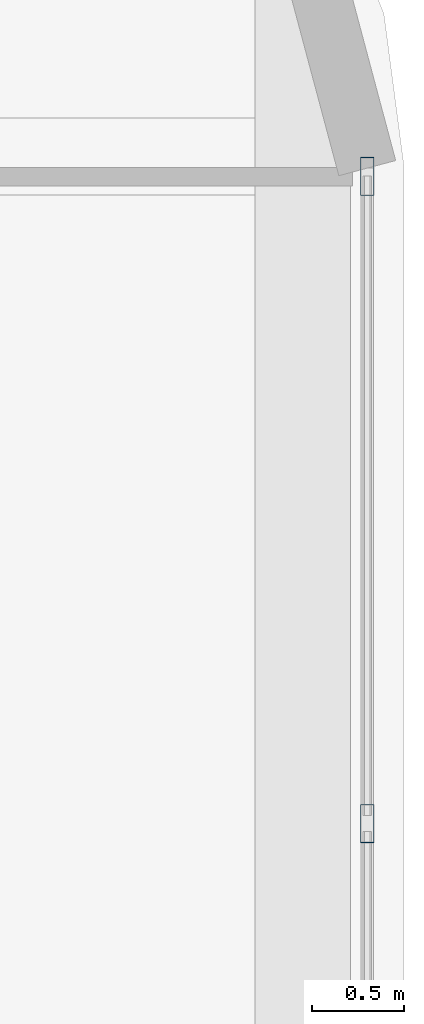
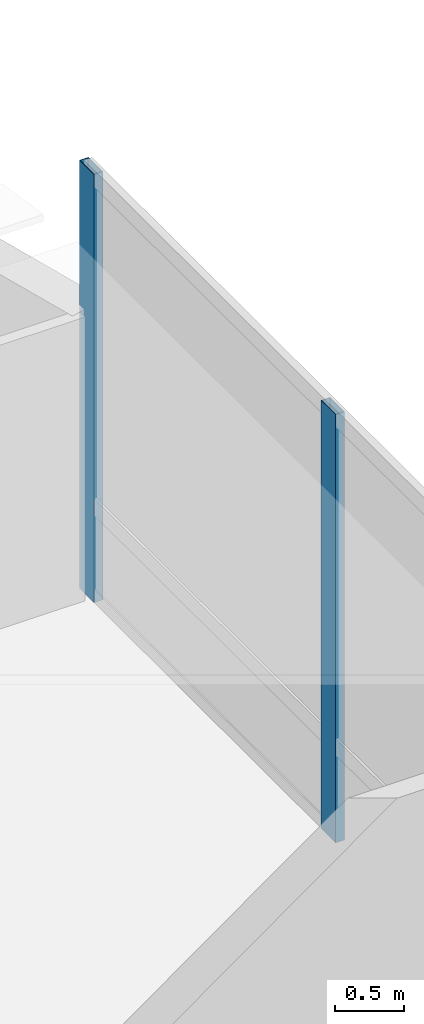
# One storey, part 22 of 40: 2 members, 1 element without a shape of its own.
"""IFC4 building model written with IfcOpenShell, lengths in metres."""

from ifc_helpers import new_model, si_unit, direction, frame, origin, origin_2d, place, context, subcontext, project, spatial, hollow_rectangle, extrude, material, material_profile, profile_set, type_object, element, aggregate, save


model = new_model("IFC4")

# Units and contexts
model_context = context("Model", 3, precision=1e-05, world=origin(), true_north=direction((0.0, 1.0)))
body_context = subcontext(model_context, "Body", "Model", "MODEL_VIEW")
ifc_project = project(units=[si_unit("LENGTHUNIT", "METRE"), si_unit("AREAUNIT", "SQUARE_METRE"), si_unit("VOLUMEUNIT", "CUBIC_METRE"), si_unit("PLANEANGLEUNIT", "RADIAN"), si_unit("MASSUNIT", "GRAM", prefix="KILO")], contexts=[model_context])

# Site, building, storey
site_placement = place(None, origin())
site = spatial("IfcSite", under=ifc_project, at=site_placement, CompositionType="ELEMENT")
building_placement = place(site_placement, origin())
building = spatial("IfcBuilding", under=site, at=building_placement, Name="Punatoya Terracotta Tower", CompositionType="ELEMENT")
storey_placement = place(building_placement, frame((0.0, 0.0, 76.800048828125)))
storey = spatial("IfcBuildingStorey", under=building, at=storey_placement, Name="L17", CompositionType="ELEMENT", Elevation=76.800048828125)

# Curtain wall, members
ifc_material_1 = material(Name="Aluminium 6063-T6 + Double Low-E Glass", Category="aluminium")
curtain_wall_type = type_object("IfcCurtainWallType", Name="CW-M1", PredefinedType="NOTDEFINED", material=ifc_material_1)
curtain_wall_placement = place(storey_placement, origin())
curtain_wall = element("IfcCurtainWall", 1, at=curtain_wall_placement, inside=storey, type_object=curtain_wall_type, Name="L17 Curtain Wall CW-L17-E05-1", PredefinedType="NOTDEFINED")
ifc_material_2 = material(Name="Aluminium 6063-T6", Category="aluminium")
ifc_material_profile = material_profile(ifc_material_2, hollow_rectangle(XDim=0.074951171875, YDim=0.2099609375, WallThickness=0.00439453125, at=origin_2d()))
ifc_profile_set = profile_set([ifc_material_profile], Name="Aluminium 6063-T6")
member_type = type_object("IfcMemberType", Name="CW-MUL-M1", PredefinedType="MULLION", material=ifc_profile_set)
member_1_placement = place(storey_placement, frame((24.85009765625, 11.869384765625, 0.0), z_axis=(0.0, 0.0, 1.0), x_axis=(1.0, 0.0, 0.0)))
member_1 = element("IfcMember", 2, at=member_1_placement, type_object=member_type, Name="CW-L17-E05-1 Mullion 09", PredefinedType="MULLION", context=body_context, shape_type="SweptSolid", body=[
    extrude(hollow_rectangle(XDim=0.074951171875, YDim=0.2099609375, WallThickness=0.00439453125, at=origin_2d()), origin(), (0.0, 0.0, 1.0), 3.81005859375),
])
member_2_placement = place(storey_placement, frame((24.85009765625, 15.391845703125, 0.0), z_axis=(0.0, 0.0, 1.0), x_axis=(1.0, 0.0, 0.0)))
member_2 = element("IfcMember", 3, at=member_2_placement, type_object=member_type, Name="CW-L17-E05-1 Mullion 10", PredefinedType="MULLION", context=body_context, shape_type="SweptSolid", body=[
    extrude(hollow_rectangle(XDim=0.074951171875, YDim=0.2099609375, WallThickness=0.00439453125, at=origin_2d()), origin(), (0.0, 0.0, 1.0), 3.81005859375),
])
aggregate(curtain_wall, [member_1, member_2])

save(model, "model.ifc")
